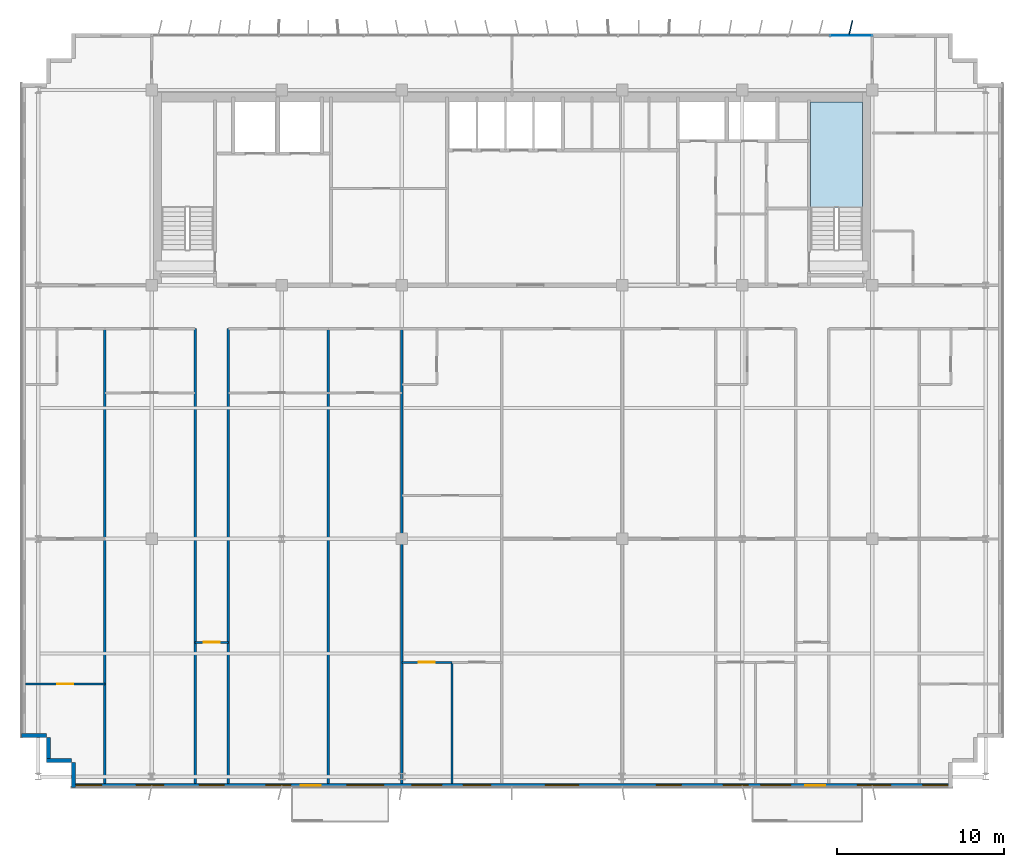
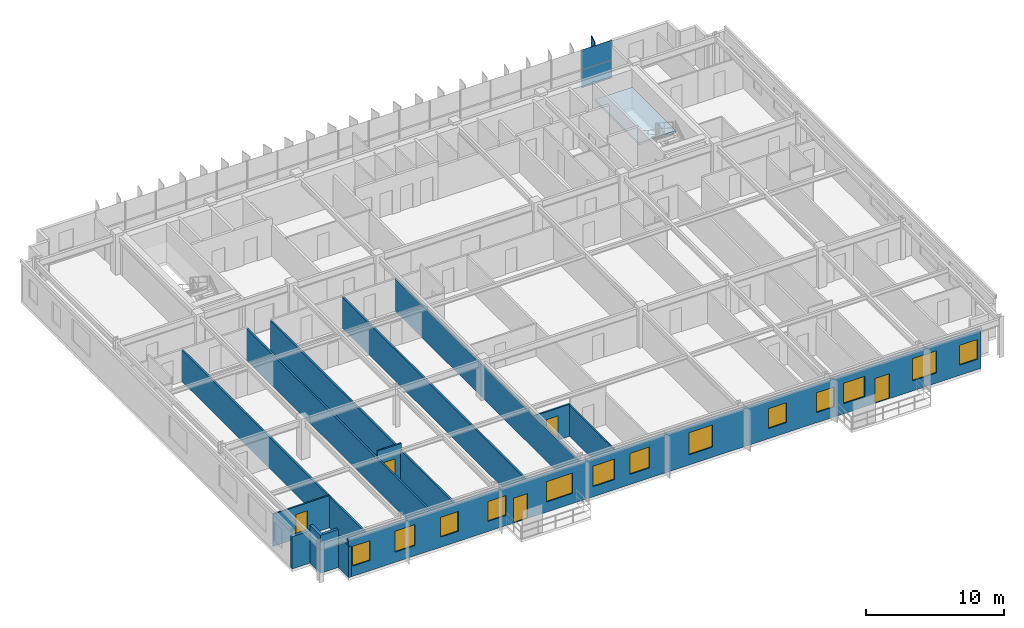
# One storey, part 14 of 21: 14 walls, 13 windows, 5 doors, 3 plates, 1 slab, 18 openings, 2 elements without a shape of their own.
"""IFC4 building model written with IfcOpenShell, lengths in metres."""

import ifcopenshell
import ifcopenshell.guid

model = None  # the IFC model being written
_history = None  # IfcOwnerHistory: only IFC2X3 demands one
_inside = {}  # id of a spatial element -> (the spatial element, [elements in it])
_under = {}  # id of a project, library or spatial element -> (it, [spatial elements below it])
_declared = {}  # id of a project -> (the project, [libraries it declares])
_typed = {}  # id of a type object -> (the type object, [elements of that type])
_made_of = {}  # id of a material, layer set ... -> (it, [elements and type objects made of it])


def new_model(schema):
    """Start an empty IFC model of exactly this schema.

    Asked for "IFC4X3", IfcOpenShell would pick the latest addendum, in which some entities
    have other attributes; the version numbers below select the first issue.
    IFC2X3 requires an IfcOwnerHistory on every rooted entity: one is made here for all.
    """
    global model, _history
    if schema == "IFC4X3":
        model = ifcopenshell.file(schema_version=(4, 3, 0, 0))
    else:
        model = ifcopenshell.file(schema=schema)
    _inside.clear()
    _under.clear()
    _declared.clear()
    _typed.clear()
    _made_of.clear()
    _history = None
    if model.schema == "IFC2X3":
        org = make("IfcOrganization", Name="unknown")
        user = make(
            "IfcPersonAndOrganization",
            ThePerson=make("IfcPerson", FamilyName="unknown"),
            TheOrganization=org,
        )
        app = make(
            "IfcApplication",
            ApplicationDeveloper=org,
            Version="unknown",
            ApplicationFullName="unknown",
            ApplicationIdentifier="unknown",
        )
        _history = make(
            "IfcOwnerHistory",
            OwningUser=user,
            OwningApplication=app,
            ChangeAction="ADDED",
            CreationDate=0,
        )
    return model


def make(cls, **values):
    """One entity of the class cls with the attributes given. An attribute that is None is left unset."""
    return model.create_entity(
        cls, **{name: value for name, value in values.items() if value is not None}
    )


def rooted(cls, **values):
    """An entity with a GlobalId (a new one), such as an element, a storey or a relation."""
    return make(cls, GlobalId=ifcopenshell.guid.new(), OwnerHistory=_history, **values)


def si_unit(unit_type, name, prefix=None):
    """IfcSIUnit, for example si_unit("LENGTHUNIT", "METRE", prefix="MILLI")."""
    return make("IfcSIUnit", UnitType=unit_type, Prefix=prefix, Name=name)


def assignment(units):
    """IfcUnitAssignment: the units of a project."""
    return None if units is None else make("IfcUnitAssignment", Units=units)


def point(xyz):
    """IfcCartesianPoint."""
    return None if xyz is None else make("IfcCartesianPoint", Coordinates=xyz)


def direction(xyz):
    """IfcDirection."""
    return None if xyz is None else make("IfcDirection", DirectionRatios=xyz)


def frame(location, z_axis=None, x_axis=None):
    """IfcAxis2Placement3D, a coordinate frame: its origin and axes. An axis left out is left unset."""
    return make(
        "IfcAxis2Placement3D",
        Location=point(location),
        Axis=direction(z_axis),
        RefDirection=direction(x_axis),
    )


def frame_2d(location, x_axis=None):
    """IfcAxis2Placement2D, a coordinate frame in the plane: its origin and x axis."""
    return make(
        "IfcAxis2Placement2D", Location=point(location), RefDirection=direction(x_axis)
    )


def origin():
    """The frame at (0, 0, 0) with its axes left unset."""
    return frame((0.0, 0.0, 0.0))


def origin_2d():
    """The frame at (0, 0) in the plane with its x axis left unset."""
    return frame_2d((0.0, 0.0))


def place(relative_to, where):
    """IfcLocalPlacement: puts the frame where relative to a parent placement (None: the world)."""
    return make(
        "IfcLocalPlacement", PlacementRelTo=relative_to, RelativePlacement=where
    )


def context(
    kind, dimensions, precision=None, world=None, true_north=None, identifier=None
):
    """IfcGeometricRepresentationContext, for example the 3D "Model" context."""
    return make(
        "IfcGeometricRepresentationContext",
        ContextIdentifier=identifier,
        ContextType=kind,
        CoordinateSpaceDimension=dimensions,
        Precision=precision,
        WorldCoordinateSystem=world,
        TrueNorth=true_north,
    )


def subcontext(parent, identifier, kind, view, scale=None):
    """IfcGeometricRepresentationSubContext, for example "Body" below "Model"."""
    return make(
        "IfcGeometricRepresentationSubContext",
        ContextIdentifier=identifier,
        ContextType=kind,
        ParentContext=parent,
        TargetScale=scale,
        TargetView=view,
    )


def project(units=None, contexts=None):
    """IfcProject with its units and contexts."""
    return rooted(
        "IfcProject",
        Name="project",
        RepresentationContexts=contexts,
        UnitsInContext=assignment(units),
    )


def spatial(cls, under=None, at=None, **own):
    """A site, building, storey or space (cls), placed at a placement, below another one or the project."""
    s = rooted(cls, ObjectPlacement=at, **own)
    if under is not None:
        _under.setdefault(under.id(), (under, []))[1].append(s)
    return s


def polyline(points):
    """IfcPolyline through the points."""
    return make("IfcPolyline", Points=[point(p) for p in points])


def profile(cls, at=None, kind="AREA", **sizes):
    """A parametric profile (cls). Its sizes go by their IFC names, for example OverallWidth=200.0."""
    return make(cls, ProfileType=kind, Position=at, **sizes)


def rectangle(**sizes):
    """IfcRectangleProfileDef."""
    return profile("IfcRectangleProfileDef", **sizes)


def outline(outer, holes=None, kind="AREA"):
    """IfcArbitraryClosedProfileDef: a profile drawn as a closed curve; with holes, ...WithVoids."""
    if holes is None:
        return make("IfcArbitraryClosedProfileDef", ProfileType=kind, OuterCurve=outer)
    return make(
        "IfcArbitraryProfileDefWithVoids",
        ProfileType=kind,
        OuterCurve=outer,
        InnerCurves=holes,
    )


def extrude(swept, where, along, depth):
    """IfcExtrudedAreaSolid: the profile swept, set in the frame where, extruded along a direction by depth."""
    return make(
        "IfcExtrudedAreaSolid",
        SweptArea=swept,
        Position=where,
        ExtrudedDirection=direction(along),
        Depth=depth,
    )


def shape(context_of_items, identifier, shape_type, items):
    """IfcShapeRepresentation: the items that make up one representation, for example the "Body"."""
    return make(
        "IfcShapeRepresentation",
        ContextOfItems=context_of_items,
        RepresentationIdentifier=identifier,
        RepresentationType=shape_type,
        Items=items,
    )


def source(mapping_origin, context_of_items, identifier, shape_type, items):
    """IfcRepresentationMap: a shape defined once, which mapped items show again and again."""
    return make(
        "IfcRepresentationMap",
        MappingOrigin=mapping_origin,
        MappedRepresentation=shape(context_of_items, identifier, shape_type, items),
    )


def transform(
    local_origin,
    x_axis=None,
    y_axis=None,
    z_axis=None,
    scale=None,
    scale2=None,
    scale3=None,
    uniform=True,
):
    """IfcCartesianTransformationOperator3D, or its non-uniform kind. x_axis, y_axis, z_axis: its Axis1, 2, 3."""
    if uniform:
        return make(
            "IfcCartesianTransformationOperator3D",
            Axis1=direction(x_axis),
            Axis2=direction(y_axis),
            LocalOrigin=point(local_origin),
            Scale=scale,
            Axis3=direction(z_axis),
        )
    return make(
        "IfcCartesianTransformationOperator3DnonUniform",
        Axis1=direction(x_axis),
        Axis2=direction(y_axis),
        LocalOrigin=point(local_origin),
        Scale=scale,
        Axis3=direction(z_axis),
        Scale2=scale2,
        Scale3=scale3,
    )


def mapped(mapping_source, mapping_target):
    """IfcMappedItem: shows the shape of a source again, moved by a transform."""
    return make(
        "IfcMappedItem", MappingSource=mapping_source, MappingTarget=mapping_target
    )


def material(Name=None, Category=None):
    """IfcMaterial."""
    return make("IfcMaterial", Name=Name, Category=Category)


def layer(
    of_material, thickness, ventilated=None, Name=None, Category=None, Priority=None
):
    """IfcMaterialLayer: one layer of a wall or slab, of a material (None: an air gap)."""
    return make(
        "IfcMaterialLayer",
        Material=of_material,
        LayerThickness=thickness,
        IsVentilated=ventilated,
        Name=Name,
        Category=Category,
        Priority=Priority,
    )


def layer_set(layers, Name=None):
    """IfcMaterialLayerSet."""
    return make("IfcMaterialLayerSet", MaterialLayers=layers, LayerSetName=Name)


def made_of(thing, what):
    """Note that an element or type object is made of a material, layer set ...; save() writes the relation."""
    if what is not None:
        _made_of.setdefault(what.id(), (what, []))[1].append(thing)
    return thing


def type_object(cls, material=None, **own):
    """A type object (cls), such as IfcWallType, which elements share."""
    return made_of(rooted(cls, **own), material)


def element(
    cls,
    number,
    at=None,
    inside=None,
    cuts=None,
    type_object=None,
    material=None,
    context=None,
    identifier="Body",
    shape_type=None,
    held_by="IfcProductDefinitionShape",
    body=None,
    shapes=None,
    **own,
):
    """One element of the class cls, such as IfcWall. Its Tag is "e" and its number.

    at: its placement. inside: the storey or other place that contains it. cuts: it is an
    opening in that element (IfcRelVoidsElement). A single representation is given by context,
    identifier, shape_type and body (its items); several are given by shapes. held_by: the class
    of the entity that holds the representations. save() writes the other relations.
    """
    e = rooted(cls, Tag="e%d" % number, ObjectPlacement=at, **own)
    if body is not None:
        shapes = [shape(context, identifier, shape_type, body)]
    if shapes is not None:
        e.Representation = make(held_by, Representations=shapes)
    if inside is not None:
        _inside.setdefault(inside.id(), (inside, []))[1].append(e)
    if cuts is not None:
        rooted(
            "IfcRelVoidsElement", RelatingBuildingElement=cuts, RelatedOpeningElement=e
        )
    if type_object is not None:
        _typed.setdefault(type_object.id(), (type_object, []))[1].append(e)
    return made_of(e, material)


def fill(opening, filler):
    """IfcRelFillsElement: the door or window that sits in an opening."""
    return rooted(
        "IfcRelFillsElement",
        RelatingOpeningElement=opening,
        RelatedBuildingElement=filler,
    )


def aggregate(whole, parts):
    """IfcRelAggregates: a whole, such as a stair, and the parts it consists of."""
    return rooted("IfcRelAggregates", RelatingObject=whole, RelatedObjects=parts)


def save(model, path):
    """Write the relations noted so far, then the file.

    IfcRelAggregates (storeys below a building ...), IfcRelContainedInSpatialStructure (elements
    in a storey), IfcRelDefinesByType, IfcRelAssociatesMaterial and IfcRelDeclares: one each for
    every whole, place, type object, material and project.
    """
    for whole, parts in _under.values():
        aggregate(whole, parts)
    for where, things in _inside.values():
        rooted(
            "IfcRelContainedInSpatialStructure",
            RelatedElements=things,
            RelatingStructure=where,
        )
    for kind, things in _typed.values():
        rooted("IfcRelDefinesByType", RelatedObjects=things, RelatingType=kind)
    for what, things in _made_of.values():
        rooted("IfcRelAssociatesMaterial", RelatedObjects=things, RelatingMaterial=what)
    for by, libraries in _declared.values():
        rooted("IfcRelDeclares", RelatingContext=by, RelatedDefinitions=libraries)
    model.write(path)


model = new_model("IFC4")

# Units and contexts
model_context = context("Model", 3, precision=1e-05, world=origin(), true_north=direction((0.0, 1.0)))
body_context = subcontext(model_context, "Body", "Model", "MODEL_VIEW")
ifc_project = project(units=[si_unit("LENGTHUNIT", "METRE"), si_unit("AREAUNIT", "SQUARE_METRE"), si_unit("VOLUMEUNIT", "CUBIC_METRE"), si_unit("PLANEANGLEUNIT", "RADIAN"), si_unit("MASSUNIT", "GRAM", prefix="KILO")], contexts=[model_context])

# Site, building, storey
site_placement = place(None, origin())
site = spatial("IfcSite", under=ifc_project, at=site_placement, CompositionType="ELEMENT")
building_placement = place(site_placement, origin())
building = spatial("IfcBuilding", under=site, at=building_placement, Name="Trelvane Seafront Commons", CompositionType="ELEMENT")
storey_placement = place(building_placement, frame((0.0, 0.0, 160.89990234375)))
storey = spatial("IfcBuildingStorey", under=building, at=storey_placement, Name="L42", CompositionType="ELEMENT", Elevation=160.89990234375)

# Stair, slab
ifc_material_1 = material(Name="Concrete C40/50", Category="concrete")
stair_type = type_object("IfcStairType", Name="ARCH-STR-ST-2-R20-180", PredefinedType="HALF_TURN_STAIR", material=ifc_material_1)
stair_placement = place(storey_placement, origin())
stair = element("IfcStair", 1, at=stair_placement, inside=storey, type_object=stair_type, Name="L42 East Protected Firefighting Exit Stair ST-2", PredefinedType="HALF_TURN_STAIR")
ifc_layer_1 = layer(ifc_material_1, 0.199951171875, Name="ARCH-LND-200")
ifc_layer_set_1 = layer_set([ifc_layer_1], Name="Concrete C40/50")
slab_type = type_object("IfcSlabType", Name="ARCH-LND-200", PredefinedType="LANDING", material=ifc_layer_set_1)
slab_placement = place(storey_placement, frame((0.0, 0.0, 1.60009765625)))
slab = element("IfcSlab", 2, at=slab_placement, type_object=slab_type, Name="ST-2 landing 1", PredefinedType="LANDING", context=body_context, shape_type="SweptSolid", body=[
    extrude(outline(polyline([(58.199951171875, 38.070068359375), (58.199951171875, 44.39990234375), (55.10009765625, 44.39990234375), (55.10009765625, 38.070068359375), (58.199951171875, 38.070068359375)])), origin(), (0.0, 0.0, 1.0), 0.199951171875),
])
aggregate(stair, [slab])

# Plate
ifc_material_2 = material(Name="Anodised pale-silver aluminium", Category="aluminium")
ifc_layer_2 = layer(ifc_material_2, 0.06005859375, Name="ARCH-PLATE-FIN900")
ifc_layer_set_2 = layer_set([ifc_layer_2], Name="Anodised pale-silver aluminium")
plate_type_1 = type_object("IfcPlateType", Name="ARCH-PLATE-FIN900", PredefinedType="USERDEFINED", material=ifc_layer_set_2)
shared_shape_1 = source(origin(), body_context, "Body", "SweptSolid", [
    extrude(rectangle(XDim=0.89990234375, YDim=0.06005859375, at=origin_2d()), origin(), (0.0, 0.0, 1.0), 3.639892578125),
])
plate_1_placement = place(storey_placement, frame((57.50439453125, 48.837646484375, -0.02001953125), z_axis=(0.0, 0.0, 1.0), x_axis=(0.232326817057, 0.972637779482, 0.0)))
element("IfcPlate", 3, at=plate_1_placement, inside=storey, type_object=plate_type_1, Name="FIN-L42-01177", ObjectType="FIN", PredefinedType="USERDEFINED", context=body_context, shape_type="MappedRepresentation", body=[
    mapped(shared_shape_1, transform((0.0, 0.0, 0.0), x_axis=(1.0, 0.0, 0.0), y_axis=(0.0, 1.0, 0.0), z_axis=(0.0, 0.0, 1.0), scale=1.0)),
])

# Curtain wall, plates
curtain_wall_type = type_object("IfcCurtainWallType", Name="ARCH-CW5-UPTOWER", PredefinedType="NOTDEFINED", material=ifc_material_2)
curtain_wall_placement = place(storey_placement, origin())
curtain_wall = element("IfcCurtainWall", 4, at=curtain_wall_placement, inside=storey, type_object=curtain_wall_type, Name="CW-L42-0069", PredefinedType="NOTDEFINED")
ifc_material_3 = material(Name="Low-E coastal double glazing", Category="glass")
ifc_layer_3 = layer(ifc_material_3, 0.033935546875, Name="ARCH-CW-GLAZ-34")
ifc_layer_set_3 = layer_set([ifc_layer_3], Name="Low-E coastal double glazing")
plate_type_2 = type_object("IfcPlateType", Name="ARCH-CW-GLAZ-34", PredefinedType="CURTAIN_PANEL", material=ifc_layer_set_3)
shared_shape_2 = source(origin(), body_context, "Body", "SweptSolid", [
    extrude(rectangle(XDim=2.51708984375, YDim=0.033935546875, at=origin_2d()), origin(), (0.0, 0.0, 1.0), 1.590087890625),
])
plate_2_placement = place(storey_placement, frame((57.529296875, 48.3701171875, 0.0), z_axis=(0.0, 0.0, 1.0), x_axis=(1.0, 0.0, 0.0)))
plate_2 = element("IfcPlate", 5, at=plate_2_placement, type_object=plate_type_2, Name="CW-L42-0069-P16-1", PredefinedType="CURTAIN_PANEL", context=body_context, shape_type="MappedRepresentation", body=[
    mapped(shared_shape_2, transform((0.0, 0.0, 0.0), x_axis=(1.0, 0.0, 0.0), y_axis=(0.0, 1.0, 0.0), z_axis=(0.0, 0.0, 1.0), scale=1.0)),
])
shared_shape_3 = source(origin(), body_context, "Body", "SweptSolid", [
    extrude(rectangle(XDim=2.51708984375, YDim=0.033935546875, at=origin_2d()), origin(), (0.0, 0.0, 1.0), 1.72412109375),
])
plate_3_placement = place(storey_placement, frame((57.529296875, 48.3701171875, 1.6259765625), z_axis=(0.0, 0.0, 1.0), x_axis=(1.0, 0.0, 0.0)))
plate_3 = element("IfcPlate", 6, at=plate_3_placement, type_object=plate_type_2, Name="CW-L42-0069-P16-2", PredefinedType="CURTAIN_PANEL", context=body_context, shape_type="MappedRepresentation", body=[
    mapped(shared_shape_3, transform((0.0, 0.0, 0.0), x_axis=(1.0, 0.0, 0.0), y_axis=(0.0, 1.0, 0.0), z_axis=(0.0, 0.0, 1.0), scale=1.0)),
])
aggregate(curtain_wall, [plate_2, plate_3])

# Walls
ifc_material_4 = material(Name="Precast concrete C40/50", Category="concrete")
ifc_layer_4 = layer(ifc_material_4, 0.239990234375, Name="ARCH-WALL-EXT240")
ifc_layer_set_4 = layer_set([ifc_layer_4], Name="Precast concrete C40/50")
wall_type_1 = type_object("IfcWallType", Name="ARCH-WALL-EXT240", PredefinedType="SOLIDWALL", material=ifc_layer_set_4)
for number, where, z_axis, x_axis, name in (
    (7, (10.800048828125, 4.919921875, 0.0), (0.0, 0.0, 1.0), (-1.0, 0.0, 0.0), "EW-L42-00823"),
    (8, (9.419921875, 4.800048828125, 0.0), (0.0, 0.0, 1.0), (0.0, 1.0, 0.0), "EW-L42-00824"),
):
    element("IfcWall", number, at=place(storey_placement, frame(where, z_axis=z_axis, x_axis=x_axis)), inside=storey, type_object=wall_type_1, Name=name, PredefinedType="SOLIDWALL", context=body_context, shape_type="SweptSolid", body=[
        extrude(rectangle(XDim=1.5, YDim=0.239990234375, at=frame_2d((0.75, 0.0))), origin(), (0.0, 0.0, 1.0), 3.35009765625),
    ])
wall_1_placement = place(storey_placement, frame((9.300048828125, 6.419921875, 0.0), z_axis=(0.0, 0.0, 1.0), x_axis=(-1.0, 0.0, 0.0)))
element("IfcWall", 9, at=wall_1_placement, inside=storey, type_object=wall_type_1, Name="EW-L42-00825", PredefinedType="SOLIDWALL", context=body_context, shape_type="SweptSolid", body=[
    extrude(rectangle(XDim=1.5, YDim=0.239990234375, at=frame_2d((0.75, 0.0))), origin(), (0.0, 0.0, 1.0), 2.85009765625),
])

# Wall, openings, doors, windows
wall_2_placement = place(storey_placement, frame((63.60009765625, 3.419921875, 0.0), z_axis=(0.0, 0.0, 1.0), x_axis=(-1.0, 0.0, 0.0)))
wall_2 = element("IfcWall", 10, at=wall_2_placement, inside=storey, type_object=wall_type_1, Name="EW-L42-00840", PredefinedType="SOLIDWALL", context=body_context, shape_type="SweptSolid", body=[
    extrude(rectangle(XDim=52.800048828125, YDim=0.239990234375, at=frame_2d((26.39990234375, 0.0))), origin(), (0.0, 0.0, 1.0), 3.35009765625),
])
opening_1_placement = place(wall_2_placement, frame((0.294921875, 0.0, 0.89990234375)))
opening_1 = element("IfcOpeningElement", 11, at=opening_1_placement, cuts=wall_2, Name="Opening W03", PredefinedType="OPENING", context=body_context, shape_type="SweptSolid", body=[
    extrude(rectangle(XDim=1.5, YDim=1.75, at=frame_2d((0.75, 0.875))), frame((0.0, 0.1298828125, 0.0), z_axis=(0.0, -1.0, 0.0), x_axis=(1.0, 0.0, 0.0)), (0.0, 0.0, 1.0), 0.260009765625),
])
opening_2_placement = place(wall_2_placement, frame((3.699951171875, 0.0, 0.89990234375)))
opening_2 = element("IfcOpeningElement", 12, at=opening_2_placement, cuts=wall_2, Name="Opening W06", PredefinedType="OPENING", context=body_context, shape_type="SweptSolid", body=[
    extrude(rectangle(XDim=2.0, YDim=1.949951171875, at=frame_2d((1.0, 0.97509765625))), frame((0.0, 0.1298828125, 0.0), z_axis=(0.0, -1.0, 0.0), x_axis=(1.0, 0.0, 0.0)), (0.0, 0.0, 1.0), 0.260009765625),
])
opening_3_placement = place(wall_2_placement, frame((7.635009765625, 0.0, 0.0)))
opening_3 = element("IfcOpeningElement", 13, at=opening_3_placement, cuts=wall_2, Name="Opening BD-L42-97", PredefinedType="OPENING", context=body_context, shape_type="SweptSolid", body=[
    extrude(rectangle(XDim=1.199951171875, YDim=2.199951171875, at=frame_2d((0.60009765625, 1.10009765625))), frame((0.0, 0.1298828125, 0.0), z_axis=(0.0, -1.0, 0.0), x_axis=(1.0, 0.0, 0.0)), (0.0, 0.0, 1.0), 0.260009765625),
])
opening_4_placement = place(wall_2_placement, frame((9.699951171875, 0.0, 0.89990234375)))
opening_4 = element("IfcOpeningElement", 14, at=opening_4_placement, cuts=wall_2, Name="Opening W01", PredefinedType="OPENING", context=body_context, shape_type="SweptSolid", body=[
    extrude(rectangle(XDim=1.800048828125, YDim=1.800048828125, at=frame_2d((0.89990234375, 0.89990234375))), frame((0.0, 0.1298828125, 0.0), z_axis=(0.0, -1.0, 0.0), x_axis=(1.0, 0.0, 0.0)), (0.0, 0.0, 1.0), 0.260009765625),
])
opening_5_placement = place(wall_2_placement, frame((12.25, 0.0, 0.89990234375)))
opening_5 = element("IfcOpeningElement", 15, at=opening_5_placement, cuts=wall_2, Name="Opening W03", PredefinedType="OPENING", context=body_context, shape_type="SweptSolid", body=[
    extrude(rectangle(XDim=1.5, YDim=1.75, at=frame_2d((0.75, 0.875))), frame((0.0, 0.1298828125, 0.0), z_axis=(0.0, -1.0, 0.0), x_axis=(1.0, 0.0, 0.0)), (0.0, 0.0, 1.0), 0.260009765625),
])
opening_6_placement = place(wall_2_placement, frame((16.25, 0.0, 0.89990234375)))
opening_6 = element("IfcOpeningElement", 16, at=opening_6_placement, cuts=wall_2, Name="Opening W03", PredefinedType="OPENING", context=body_context, shape_type="SweptSolid", body=[
    extrude(rectangle(XDim=1.5, YDim=1.75, at=frame_2d((0.75, 0.875))), frame((0.0, 0.1298828125, 0.0), z_axis=(0.0, -1.0, 0.0), x_axis=(1.0, 0.0, 0.0)), (0.0, 0.0, 1.0), 0.260009765625),
])
opening_7_placement = place(wall_2_placement, frame((22.39990234375, 0.0, 0.89990234375)))
opening_7 = element("IfcOpeningElement", 17, at=opening_7_placement, cuts=wall_2, Name="Opening W06", PredefinedType="OPENING", context=body_context, shape_type="SweptSolid", body=[
    extrude(rectangle(XDim=2.0, YDim=1.949951171875, at=frame_2d((1.0, 0.97509765625))), frame((0.0, 0.1298828125, 0.0), z_axis=(0.0, -1.0, 0.0), x_axis=(1.0, 0.0, 0.0)), (0.0, 0.0, 1.0), 0.260009765625),
])
opening_8_placement = place(wall_2_placement, frame((27.675048828125, 0.0, 0.89990234375)))
opening_8 = element("IfcOpeningElement", 18, at=opening_8_placement, cuts=wall_2, Name="Opening W07", PredefinedType="OPENING", context=body_context, shape_type="SweptSolid", body=[
    extrude(rectangle(XDim=1.64990234375, YDim=1.85009765625, at=frame_2d((0.824951171875, 0.925048828125))), frame((0.0, 0.1298828125, 0.0), z_axis=(0.0, -1.0, 0.0), x_axis=(1.0, 0.0, 0.0)), (0.0, 0.0, 1.0), 0.260009765625),
])
opening_9_placement = place(wall_2_placement, frame((30.60009765625, 0.0, 0.89990234375)))
opening_9 = element("IfcOpeningElement", 19, at=opening_9_placement, cuts=wall_2, Name="Opening W01", PredefinedType="OPENING", context=body_context, shape_type="SweptSolid", body=[
    extrude(rectangle(XDim=1.800048828125, YDim=1.800048828125, at=frame_2d((0.89990234375, 0.89990234375))), frame((0.0, 0.1298828125, 0.0), z_axis=(0.0, -1.0, 0.0), x_axis=(1.0, 0.0, 0.0)), (0.0, 0.0, 1.0), 0.260009765625),
])
opening_10_placement = place(wall_2_placement, frame((34.10009765625, 0.0, 0.89990234375)))
opening_10 = element("IfcOpeningElement", 20, at=opening_10_placement, cuts=wall_2, Name="Opening W02", PredefinedType="OPENING", context=body_context, shape_type="SweptSolid", body=[
    extrude(rectangle(XDim=2.199951171875, YDim=1.800048828125, at=frame_2d((1.10009765625, 0.89990234375))), frame((0.0, 0.1298828125, 0.0), z_axis=(0.0, -1.0, 0.0), x_axis=(1.0, 0.0, 0.0)), (0.0, 0.0, 1.0), 0.260009765625),
])
opening_11_placement = place(wall_2_placement, frame((39.64990234375, 0.0, 0.89990234375)))
opening_11 = element("IfcOpeningElement", 21, at=opening_11_placement, cuts=wall_2, Name="Opening W03", PredefinedType="OPENING", context=body_context, shape_type="SweptSolid", body=[
    extrude(rectangle(XDim=1.5, YDim=1.75, at=frame_2d((0.75, 0.875))), frame((0.0, 0.1298828125, 0.0), z_axis=(0.0, -1.0, 0.0), x_axis=(1.0, 0.0, 0.0)), (0.0, 0.0, 1.0), 0.260009765625),
])
opening_12_placement = place(wall_2_placement, frame((43.64990234375, 0.0, 0.89990234375)))
opening_12 = element("IfcOpeningElement", 22, at=opening_12_placement, cuts=wall_2, Name="Opening W03", PredefinedType="OPENING", context=body_context, shape_type="SweptSolid", body=[
    extrude(rectangle(XDim=1.5, YDim=1.75, at=frame_2d((0.75, 0.875))), frame((0.0, 0.1298828125, 0.0), z_axis=(0.0, -1.0, 0.0), x_axis=(1.0, 0.0, 0.0)), (0.0, 0.0, 1.0), 0.260009765625),
])
opening_13_placement = place(wall_2_placement, frame((47.27490234375, 0.0, 0.89990234375)))
opening_13 = element("IfcOpeningElement", 23, at=opening_13_placement, cuts=wall_2, Name="Opening W07", PredefinedType="OPENING", context=body_context, shape_type="SweptSolid", body=[
    extrude(rectangle(XDim=1.64990234375, YDim=1.85009765625, at=frame_2d((0.824951171875, 0.925048828125))), frame((0.0, 0.1298828125, 0.0), z_axis=(0.0, -1.0, 0.0), x_axis=(1.0, 0.0, 0.0)), (0.0, 0.0, 1.0), 0.260009765625),
])
opening_14_placement = place(wall_2_placement, frame((51.0048828125, 0.0, 0.89990234375)))
opening_14 = element("IfcOpeningElement", 24, at=opening_14_placement, cuts=wall_2, Name="Opening W03", PredefinedType="OPENING", context=body_context, shape_type="SweptSolid", body=[
    extrude(rectangle(XDim=1.5, YDim=1.75, at=frame_2d((0.75, 0.875))), frame((0.0, 0.1298828125, 0.0), z_axis=(0.0, -1.0, 0.0), x_axis=(1.0, 0.0, 0.0)), (0.0, 0.0, 1.0), 0.260009765625),
])
opening_15_placement = place(wall_2_placement, frame((37.85009765625, 0.0, 0.0)))
opening_15 = element("IfcOpeningElement", 25, at=opening_15_placement, cuts=wall_2, Name="Opening BD-L42-98", PredefinedType="OPENING", context=body_context, shape_type="SweptSolid", body=[
    extrude(rectangle(XDim=1.199951171875, YDim=2.199951171875, at=frame_2d((0.60009765625, 1.10009765625))), frame((0.0, 0.1298828125, 0.0), z_axis=(0.0, -1.0, 0.0), x_axis=(1.0, 0.0, 0.0)), (0.0, 0.0, 1.0), 0.260009765625),
])
ifc_material_5 = material(Name="Powder-coated aluminium frame", Category="aluminium")
door_type_1 = type_object("IfcDoorType", Name="ARCH-DR-BAL1200", OperationType="NOTDEFINED", PredefinedType="DOOR", material=ifc_material_5)
shared_shape_4 = source(origin(), body_context, "Body", "SweptSolid", [
    extrude(rectangle(XDim=1.199951171875, YDim=2.199951171875, at=frame_2d((0.60009765625, 1.10009765625))), frame((0.0, 0.02490234375, 0.0), z_axis=(0.0, -1.0, 0.0), x_axis=(1.0, 0.0, 0.0)), (0.0, 0.0, 1.0), 0.050048828125),
])
door_1_placement = place(opening_3_placement, origin())
door_1 = element("IfcDoor", 26, at=door_1_placement, inside=storey, type_object=door_type_1, Name="L42 Balcony Terrace Access Door", OperationType="SINGLE_SWING_LEFT", OverallHeight=2.199951171875, OverallWidth=1.199951171875, PredefinedType="DOOR", context=body_context, shape_type="MappedRepresentation", body=[
    mapped(shared_shape_4, transform((0.0, 0.0, 0.0), x_axis=(1.0, 0.0, 0.0), y_axis=(0.0, 1.0, 0.0), z_axis=(0.0, 0.0, 1.0), scale=1.0)),
])
fill(opening_3, door_1)
door_2_placement = place(opening_15_placement, origin())
door_2 = element("IfcDoor", 27, at=door_2_placement, inside=storey, type_object=door_type_1, Name="L42 Balcony Terrace Access Door", OperationType="SINGLE_SWING_LEFT", OverallHeight=2.199951171875, OverallWidth=1.199951171875, PredefinedType="DOOR", context=body_context, shape_type="MappedRepresentation", body=[
    mapped(shared_shape_4, transform((0.0, 0.0, 0.0), x_axis=(1.0, 0.0, 0.0), y_axis=(0.0, 1.0, 0.0), z_axis=(0.0, 0.0, 1.0), scale=1.0)),
])
fill(opening_15, door_2)
window_type_1 = type_object("IfcWindowType", Name="ARCH-WIN-W02", PartitioningType="SINGLE_PANEL", PredefinedType="WINDOW", material=ifc_material_3)
shared_shape_5 = source(origin(), body_context, "Body", "SweptSolid", [
    extrude(rectangle(XDim=2.199951171875, YDim=1.800048828125, at=frame_2d((1.10009765625, 0.89990234375))), frame((0.0, 0.030029296875, 0.0), z_axis=(0.0, -1.0, 0.0), x_axis=(1.0, 0.0, 0.0)), (0.0, 0.0, 1.0), 0.06005859375),
])
window_1_placement = place(opening_10_placement, origin())
window_1 = element("IfcWindow", 28, at=window_1_placement, inside=storey, type_object=window_type_1, Name="WIN-L42-01007", OverallHeight=1.800048828125, OverallWidth=2.199951171875, PartitioningType="SINGLE_PANEL", PredefinedType="WINDOW", context=body_context, shape_type="MappedRepresentation", body=[
    mapped(shared_shape_5, transform((0.0, 0.0, 0.0), x_axis=(1.0, 0.0, 0.0), y_axis=(0.0, 1.0, 0.0), z_axis=(0.0, 0.0, 1.0), scale=1.0)),
])
fill(opening_10, window_1)
window_type_2 = type_object("IfcWindowType", Name="ARCH-WIN-W03", PartitioningType="SINGLE_PANEL", PredefinedType="WINDOW", material=ifc_material_3)
shared_shape_6 = source(origin(), body_context, "Body", "SweptSolid", [
    extrude(rectangle(XDim=1.5, YDim=1.75, at=frame_2d((0.75, 0.875))), frame((0.0, 0.030029296875, 0.0), z_axis=(0.0, -1.0, 0.0), x_axis=(1.0, 0.0, 0.0)), (0.0, 0.0, 1.0), 0.06005859375),
])
window_2_placement = place(opening_1_placement, origin())
window_2 = element("IfcWindow", 29, at=window_2_placement, inside=storey, type_object=window_type_2, Name="WIN-L42-00999", OverallHeight=1.75, OverallWidth=1.5, PartitioningType="SINGLE_PANEL", PredefinedType="WINDOW", context=body_context, shape_type="MappedRepresentation", body=[
    mapped(shared_shape_6, transform((0.0, 0.0, 0.0), x_axis=(1.0, 0.0, 0.0), y_axis=(0.0, 1.0, 0.0), z_axis=(0.0, 0.0, 1.0), scale=1.0)),
])
fill(opening_1, window_2)
window_3_placement = place(opening_5_placement, origin())
window_3 = element("IfcWindow", 30, at=window_3_placement, inside=storey, type_object=window_type_2, Name="WIN-L42-01002", OverallHeight=1.75, OverallWidth=1.5, PartitioningType="SINGLE_PANEL", PredefinedType="WINDOW", context=body_context, shape_type="MappedRepresentation", body=[
    mapped(shared_shape_6, transform((0.0, 0.0, 0.0), x_axis=(1.0, 0.0, 0.0), y_axis=(0.0, 1.0, 0.0), z_axis=(0.0, 0.0, 1.0), scale=1.0)),
])
fill(opening_5, window_3)
window_4_placement = place(opening_6_placement, origin())
window_4 = element("IfcWindow", 31, at=window_4_placement, inside=storey, type_object=window_type_2, Name="WIN-L42-01003", OverallHeight=1.75, OverallWidth=1.5, PartitioningType="SINGLE_PANEL", PredefinedType="WINDOW", context=body_context, shape_type="MappedRepresentation", body=[
    mapped(shared_shape_6, transform((0.0, 0.0, 0.0), x_axis=(1.0, 0.0, 0.0), y_axis=(0.0, 1.0, 0.0), z_axis=(0.0, 0.0, 1.0), scale=1.0)),
])
fill(opening_6, window_4)
window_5_placement = place(opening_11_placement, origin())
window_5 = element("IfcWindow", 32, at=window_5_placement, inside=storey, type_object=window_type_2, Name="WIN-L42-01008", OverallHeight=1.75, OverallWidth=1.5, PartitioningType="SINGLE_PANEL", PredefinedType="WINDOW", context=body_context, shape_type="MappedRepresentation", body=[
    mapped(shared_shape_6, transform((0.0, 0.0, 0.0), x_axis=(1.0, 0.0, 0.0), y_axis=(0.0, 1.0, 0.0), z_axis=(0.0, 0.0, 1.0), scale=1.0)),
])
fill(opening_11, window_5)
window_6_placement = place(opening_12_placement, origin())
window_6 = element("IfcWindow", 33, at=window_6_placement, inside=storey, type_object=window_type_2, Name="WIN-L42-01009", OverallHeight=1.75, OverallWidth=1.5, PartitioningType="SINGLE_PANEL", PredefinedType="WINDOW", context=body_context, shape_type="MappedRepresentation", body=[
    mapped(shared_shape_6, transform((0.0, 0.0, 0.0), x_axis=(1.0, 0.0, 0.0), y_axis=(0.0, 1.0, 0.0), z_axis=(0.0, 0.0, 1.0), scale=1.0)),
])
fill(opening_12, window_6)
window_7_placement = place(opening_14_placement, origin())
window_7 = element("IfcWindow", 34, at=window_7_placement, inside=storey, type_object=window_type_2, Name="WIN-L42-01011", OverallHeight=1.75, OverallWidth=1.5, PartitioningType="SINGLE_PANEL", PredefinedType="WINDOW", context=body_context, shape_type="MappedRepresentation", body=[
    mapped(shared_shape_6, transform((0.0, 0.0, 0.0), x_axis=(1.0, 0.0, 0.0), y_axis=(0.0, 1.0, 0.0), z_axis=(0.0, 0.0, 1.0), scale=1.0)),
])
fill(opening_14, window_7)
window_type_3 = type_object("IfcWindowType", Name="ARCH-WIN-W06", PartitioningType="SINGLE_PANEL", PredefinedType="WINDOW", material=ifc_material_3)
shared_shape_7 = source(origin(), body_context, "Body", "SweptSolid", [
    extrude(rectangle(XDim=2.0, YDim=1.949951171875, at=frame_2d((1.0, 0.97509765625))), frame((0.0, 0.030029296875, 0.0), z_axis=(0.0, -1.0, 0.0), x_axis=(1.0, 0.0, 0.0)), (0.0, 0.0, 1.0), 0.06005859375),
])
window_8_placement = place(opening_2_placement, origin())
window_8 = element("IfcWindow", 35, at=window_8_placement, inside=storey, type_object=window_type_3, Name="WIN-L42-01000", OverallHeight=1.949951171875, OverallWidth=2.0, PartitioningType="SINGLE_PANEL", PredefinedType="WINDOW", context=body_context, shape_type="MappedRepresentation", body=[
    mapped(shared_shape_7, transform((0.0, 0.0, 0.0), x_axis=(1.0, 0.0, 0.0), y_axis=(0.0, 1.0, 0.0), z_axis=(0.0, 0.0, 1.0), scale=1.0)),
])
fill(opening_2, window_8)
window_9_placement = place(opening_7_placement, origin())
window_9 = element("IfcWindow", 36, at=window_9_placement, inside=storey, type_object=window_type_3, Name="WIN-L42-01004", OverallHeight=1.949951171875, OverallWidth=2.0, PartitioningType="SINGLE_PANEL", PredefinedType="WINDOW", context=body_context, shape_type="MappedRepresentation", body=[
    mapped(shared_shape_7, transform((0.0, 0.0, 0.0), x_axis=(1.0, 0.0, 0.0), y_axis=(0.0, 1.0, 0.0), z_axis=(0.0, 0.0, 1.0), scale=1.0)),
])
fill(opening_7, window_9)
window_type_4 = type_object("IfcWindowType", Name="ARCH-WIN-W01", PartitioningType="SINGLE_PANEL", PredefinedType="WINDOW", material=ifc_material_3)
shared_shape_8 = source(origin(), body_context, "Body", "SweptSolid", [
    extrude(rectangle(XDim=1.800048828125, YDim=1.800048828125, at=frame_2d((0.89990234375, 0.89990234375))), frame((0.0, 0.030029296875, 0.0), z_axis=(0.0, -1.0, 0.0), x_axis=(1.0, 0.0, 0.0)), (0.0, 0.0, 1.0), 0.06005859375),
])
window_10_placement = place(opening_4_placement, origin())
window_10 = element("IfcWindow", 37, at=window_10_placement, inside=storey, type_object=window_type_4, Name="WIN-L42-01001", OverallHeight=1.800048828125, OverallWidth=1.800048828125, PartitioningType="SINGLE_PANEL", PredefinedType="WINDOW", context=body_context, shape_type="MappedRepresentation", body=[
    mapped(shared_shape_8, transform((0.0, 0.0, 0.0), x_axis=(1.0, 0.0, 0.0), y_axis=(0.0, 1.0, 0.0), z_axis=(0.0, 0.0, 1.0), scale=1.0)),
])
fill(opening_4, window_10)
window_11_placement = place(opening_9_placement, origin())
window_11 = element("IfcWindow", 38, at=window_11_placement, inside=storey, type_object=window_type_4, Name="WIN-L42-01006", OverallHeight=1.800048828125, OverallWidth=1.800048828125, PartitioningType="SINGLE_PANEL", PredefinedType="WINDOW", context=body_context, shape_type="MappedRepresentation", body=[
    mapped(shared_shape_8, transform((0.0, 0.0, 0.0), x_axis=(1.0, 0.0, 0.0), y_axis=(0.0, 1.0, 0.0), z_axis=(0.0, 0.0, 1.0), scale=1.0)),
])
fill(opening_9, window_11)
window_type_5 = type_object("IfcWindowType", Name="ARCH-WIN-W07", PartitioningType="SINGLE_PANEL", PredefinedType="WINDOW", material=ifc_material_3)
shared_shape_9 = source(origin(), body_context, "Body", "SweptSolid", [
    extrude(rectangle(XDim=1.64990234375, YDim=1.85009765625, at=frame_2d((0.824951171875, 0.925048828125))), frame((0.0, 0.030029296875, 0.0), z_axis=(0.0, -1.0, 0.0), x_axis=(1.0, 0.0, 0.0)), (0.0, 0.0, 1.0), 0.06005859375),
])
window_12_placement = place(opening_8_placement, origin())
window_12 = element("IfcWindow", 39, at=window_12_placement, inside=storey, type_object=window_type_5, Name="WIN-L42-01005", OverallHeight=1.85009765625, OverallWidth=1.64990234375, PartitioningType="SINGLE_PANEL", PredefinedType="WINDOW", context=body_context, shape_type="MappedRepresentation", body=[
    mapped(shared_shape_9, transform((0.0, 0.0, 0.0), x_axis=(1.0, 0.0, 0.0), y_axis=(0.0, 1.0, 0.0), z_axis=(0.0, 0.0, 1.0), scale=1.0)),
])
fill(opening_8, window_12)
window_13_placement = place(opening_13_placement, origin())
window_13 = element("IfcWindow", 40, at=window_13_placement, inside=storey, type_object=window_type_5, Name="WIN-L42-01010", OverallHeight=1.85009765625, OverallWidth=1.64990234375, PartitioningType="SINGLE_PANEL", PredefinedType="WINDOW", context=body_context, shape_type="MappedRepresentation", body=[
    mapped(shared_shape_9, transform((0.0, 0.0, 0.0), x_axis=(1.0, 0.0, 0.0), y_axis=(0.0, 1.0, 0.0), z_axis=(0.0, 0.0, 1.0), scale=1.0)),
])
fill(opening_13, window_13)

# Wall
wall_3_placement = place(storey_placement, frame((10.919921875, 3.300048828125, 0.0), z_axis=(0.0, 0.0, 1.0), x_axis=(0.0, 1.0, 0.0)))
element("IfcWall", 41, at=wall_3_placement, inside=storey, type_object=wall_type_1, Name="EW-L42-00841", PredefinedType="SOLIDWALL", context=body_context, shape_type="SweptSolid", body=[
    extrude(rectangle(XDim=1.5, YDim=0.239990234375, at=frame_2d((0.75, 0.0))), origin(), (0.0, 0.0, 1.0), 2.75),
])

# Wall, opening, door
ifc_material_6 = material(Name="Gypsum Drywall Acoustic Partition")
ifc_layer_5 = layer(ifc_material_6, 0.1201171875, Name="ARCH-WALL-PART120")
ifc_layer_set_5 = layer_set([ifc_layer_5], Name="Gypsum Drywall Acoustic Partition")
wall_type_2 = type_object("IfcWallType", Name="ARCH-WALL-PART120", PredefinedType="PARTITIONING", material=ifc_layer_set_5)
wall_4_placement = place(storey_placement, frame((8.0400390625, 9.5, 0.0), z_axis=(0.0, 0.0, 1.0), x_axis=(1.0, 0.0, 0.0)))
wall_4 = element("IfcWall", 42, at=wall_4_placement, inside=storey, type_object=wall_type_2, Name="W-L42-U1-YM-1-057", PredefinedType="PARTITIONING", context=body_context, shape_type="SweptSolid", body=[
    extrude(rectangle(XDim=4.760009765625, YDim=0.1201171875, at=frame_2d((2.3798828125, 0.0))), origin(), (0.0, 0.0, 1.0), 2.85009765625),
])
opening_16_placement = place(wall_4_placement, frame((1.905029296875, 0.0, 0.0)))
opening_16 = element("IfcOpeningElement", 43, at=opening_16_placement, cuts=wall_4, Name="Opening D-L42-31", PredefinedType="OPENING", context=body_context, shape_type="SweptSolid", body=[
    extrude(rectangle(XDim=0.949951171875, YDim=2.14990234375, at=frame_2d((0.47509765625, 1.074951171875))), frame((0.0, 0.070068359375, 0.0), z_axis=(0.0, -1.0, 0.0), x_axis=(1.0, 0.0, 0.0)), (0.0, 0.0, 1.0), 0.14013671875),
])
ifc_material_7 = material(Name="Acoustic timber door leaf", Category="wood")
door_type_2 = type_object("IfcDoorType", Name="ARCH-DR-INT950", OperationType="NOTDEFINED", PredefinedType="DOOR", material=ifc_material_7)
shared_shape_10 = source(origin(), body_context, "Body", "SweptSolid", [
    extrude(rectangle(XDim=0.949951171875, YDim=2.14990234375, at=frame_2d((0.47509765625, 1.074951171875))), frame((0.0, 0.02490234375, 0.0), z_axis=(0.0, -1.0, 0.0), x_axis=(1.0, 0.0, 0.0)), (0.0, 0.0, 1.0), 0.050048828125),
])
door_3_placement = place(opening_16_placement, origin())
door_3 = element("IfcDoor", 44, at=door_3_placement, inside=storey, type_object=door_type_2, Name="L42 Door 31", OperationType="SINGLE_SWING_LEFT", OverallHeight=2.14990234375, OverallWidth=0.949951171875, PredefinedType="DOOR", context=body_context, shape_type="MappedRepresentation", body=[
    mapped(shared_shape_10, transform((0.0, 0.0, 0.0), x_axis=(1.0, 0.0, 0.0), y_axis=(0.0, 1.0, 0.0), z_axis=(0.0, 0.0, 1.0), scale=1.0)),
])
fill(opening_16, door_3)

wall_5_placement = place(storey_placement, frame((18.199951171875, 12.0, 0.0), z_axis=(0.0, 0.0, 1.0), x_axis=(1.0, 0.0, 0.0)))
wall_5 = element("IfcWall", 45, at=wall_5_placement, inside=storey, type_object=wall_type_2, Name="W-L42-ARM-END-3-062", PredefinedType="PARTITIONING", context=body_context, shape_type="SweptSolid", body=[
    extrude(rectangle(XDim=2.0, YDim=0.1201171875, at=frame_2d((1.0, 0.0))), origin(), (0.0, 0.0, 1.0), 3.35009765625),
])
opening_17_placement = place(wall_5_placement, frame((0.52001953125, 0.0, 0.0)))
opening_17 = element("IfcOpeningElement", 46, at=opening_17_placement, cuts=wall_5, Name="Opening D-L42-34", PredefinedType="OPENING", context=body_context, shape_type="SweptSolid", body=[
    extrude(rectangle(XDim=0.949951171875, YDim=2.14990234375, at=frame_2d((0.47509765625, 1.074951171875))), frame((0.0, 0.070068359375, 0.0), z_axis=(0.0, -1.0, 0.0), x_axis=(1.0, 0.0, 0.0)), (0.0, 0.0, 1.0), 0.14013671875),
])
door_4_placement = place(opening_17_placement, origin())
door_4 = element("IfcDoor", 47, at=door_4_placement, inside=storey, type_object=door_type_2, Name="L42 Door 34", OperationType="SINGLE_SWING_RIGHT", OverallHeight=2.14990234375, OverallWidth=0.949951171875, PredefinedType="DOOR", context=body_context, shape_type="MappedRepresentation", body=[
    mapped(shared_shape_10, transform((0.0, 0.0, 0.0), x_axis=(1.0, 0.0, 0.0), y_axis=(0.0, 1.0, 0.0), z_axis=(0.0, 0.0, 1.0), scale=1.0)),
])
fill(opening_17, door_4)

wall_6_placement = place(storey_placement, frame((30.60009765625, 10.800048828125, 0.0), z_axis=(0.0, 0.0, 1.0), x_axis=(1.0, 0.0, 0.0)))
wall_6 = element("IfcWall", 48, at=wall_6_placement, inside=storey, type_object=wall_type_2, Name="W-L42-U6-YM-1-071", PredefinedType="PARTITIONING", context=body_context, shape_type="SweptSolid", body=[
    extrude(rectangle(XDim=3.0, YDim=0.1201171875, at=frame_2d((1.5, 0.0))), origin(), (0.0, 0.0, 1.0), 2.85009765625),
])
opening_18_placement = place(wall_6_placement, frame((1.02490234375, 0.0, 0.0)))
opening_18 = element("IfcOpeningElement", 49, at=opening_18_placement, cuts=wall_6, Name="Opening D-L42-42", PredefinedType="OPENING", context=body_context, shape_type="SweptSolid", body=[
    extrude(rectangle(XDim=0.949951171875, YDim=2.14990234375, at=frame_2d((0.47509765625, 1.074951171875))), frame((0.0, 0.070068359375, 0.0), z_axis=(0.0, -1.0, 0.0), x_axis=(1.0, 0.0, 0.0)), (0.0, 0.0, 1.0), 0.14013671875),
])
door_5_placement = place(opening_18_placement, origin())
door_5 = element("IfcDoor", 50, at=door_5_placement, inside=storey, type_object=door_type_2, Name="L42 Door 42", OperationType="SINGLE_SWING_RIGHT", OverallHeight=2.14990234375, OverallWidth=0.949951171875, PredefinedType="DOOR", context=body_context, shape_type="MappedRepresentation", body=[
    mapped(shared_shape_10, transform((0.0, 0.0, 0.0), x_axis=(1.0, 0.0, 0.0), y_axis=(0.0, 1.0, 0.0), z_axis=(0.0, 0.0, 1.0), scale=1.0)),
])
fill(opening_18, door_5)

# Walls
wall_7_placement = place(storey_placement, frame((33.60009765625, 3.52490234375, 0.0), z_axis=(0.0, 0.0, 1.0), x_axis=(0.0, 1.0, 0.0)))
element("IfcWall", 51, at=wall_7_placement, inside=storey, type_object=wall_type_2, Name="W-L42-U6-BDV-1-073", PredefinedType="PARTITIONING", context=body_context, shape_type="SweptSolid", body=[
    extrude(rectangle(XDim=7.275146484375, YDim=0.1201171875, at=frame_2d((3.6376953125, 0.0))), origin(), (0.0, 0.0, 1.0), 2.75),
])
ifc_layer_6 = layer(ifc_material_6, 0.14990234375, Name="ARCH-WALL-PART150")
ifc_layer_set_6 = layer_set([ifc_layer_6], Name="Gypsum Drywall Acoustic Partition")
wall_type_3 = type_object("IfcWallType", Name="ARCH-WALL-PART150", PredefinedType="PARTITIONING", material=ifc_layer_set_6)
for number, where, z_axis, x_axis, name in (
    (52, (12.800048828125, 3.52490234375, 0.0), (0.0, 0.0, 1.0), (0.0, 1.0, 0.0), "W-L42-PW-1-046"),
    (53, (26.199951171875, 3.52490234375, 0.0), (0.0, 0.0, 1.0), (0.0, 1.0, 0.0), "W-L42-PW-4-047"),
):
    element("IfcWall", number, at=place(storey_placement, frame(where, z_axis=z_axis, x_axis=x_axis)), inside=storey, type_object=wall_type_3, Name=name, PredefinedType="PARTITIONING", context=body_context, shape_type="SweptSolid", body=[
        extrude(rectangle(XDim=27.275146484375, YDim=0.14990234375, at=frame_2d((13.6376953125, 0.0))), origin(), (0.0, 0.0, 1.0), 2.75),
    ])
wall_8_placement = place(storey_placement, frame((30.60009765625, 3.52490234375, 0.0), z_axis=(0.0, 0.0, 1.0), x_axis=(0.0, 1.0, 0.0)))
element("IfcWall", 54, at=wall_8_placement, inside=storey, type_object=wall_type_3, Name="W-L42-PW-5-048", PredefinedType="PARTITIONING", context=body_context, shape_type="SweptSolid", body=[
    extrude(rectangle(XDim=27.275146484375, YDim=0.14990234375, at=frame_2d((13.6376953125, 0.0))), origin(), (0.0, 0.0, 1.0), 2.85009765625),
])
for number, where, z_axis, x_axis, name in (
    (55, (18.199951171875, 3.52490234375, 0.0), (0.0, 0.0, 1.0), (0.0, 1.0, 0.0), "W-L42-ARM-W-3-060"),
    (56, (20.199951171875, 3.52490234375, 0.0), (0.0, 0.0, 1.0), (0.0, 1.0, 0.0), "W-L42-ARM-E-3-061"),
):
    element("IfcWall", number, at=place(storey_placement, frame(where, z_axis=z_axis, x_axis=x_axis)), inside=storey, type_object=wall_type_3, Name=name, PredefinedType="PARTITIONING", context=body_context, shape_type="SweptSolid", body=[
        extrude(rectangle(XDim=27.275146484375, YDim=0.14990234375, at=frame_2d((13.6376953125, 0.0))), origin(), (0.0, 0.0, 1.0), 2.75),
    ])

save(model, "model.ifc")
